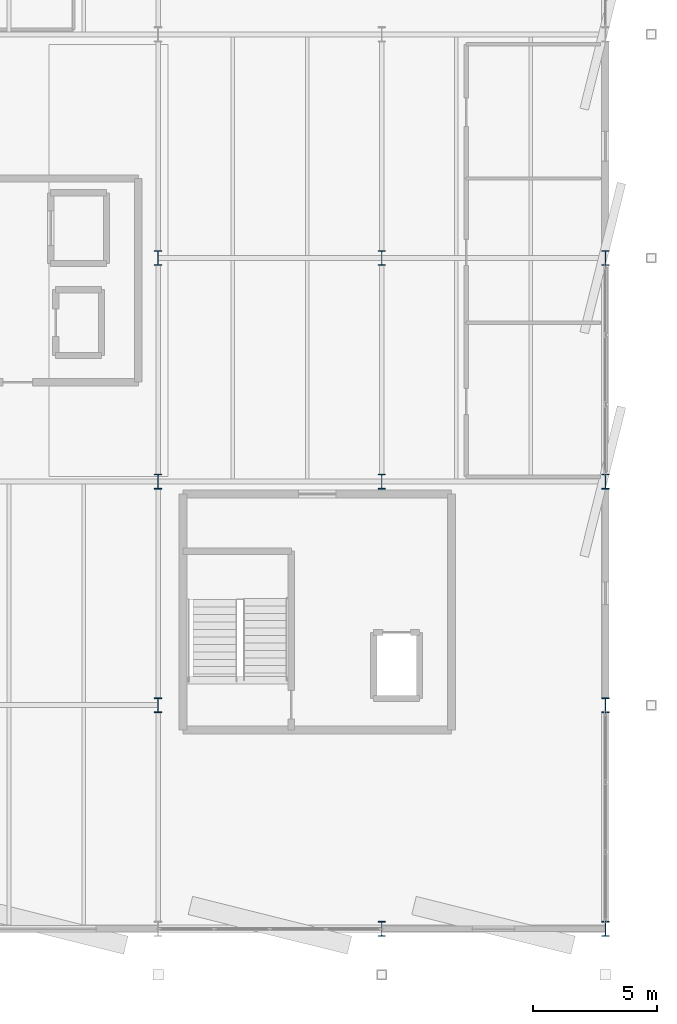
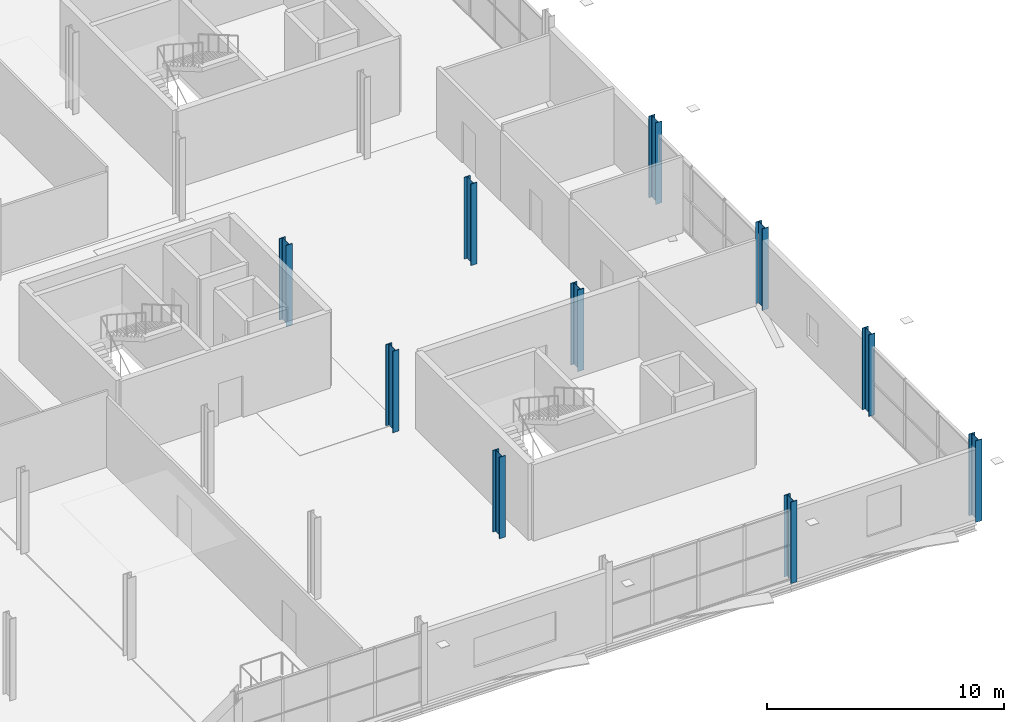
# One storey, part 14 of 132: 10 columns.
"""IFC4 building model written with IfcOpenShell, lengths in metres."""

import ifcopenshell
import ifcopenshell.guid

model = None  # the IFC model being written
_history = None  # IfcOwnerHistory: only IFC2X3 demands one
_inside = {}  # id of a spatial element -> (the spatial element, [elements in it])
_under = {}  # id of a project, library or spatial element -> (it, [spatial elements below it])
_declared = {}  # id of a project -> (the project, [libraries it declares])
_typed = {}  # id of a type object -> (the type object, [elements of that type])
_made_of = {}  # id of a material, layer set ... -> (it, [elements and type objects made of it])


def new_model(schema):
    """Start an empty IFC model of exactly this schema.

    Asked for "IFC4X3", IfcOpenShell would pick the latest addendum, in which some entities
    have other attributes; the version numbers below select the first issue.
    IFC2X3 requires an IfcOwnerHistory on every rooted entity: one is made here for all.
    """
    global model, _history
    if schema == "IFC4X3":
        model = ifcopenshell.file(schema_version=(4, 3, 0, 0))
    else:
        model = ifcopenshell.file(schema=schema)
    _inside.clear()
    _under.clear()
    _declared.clear()
    _typed.clear()
    _made_of.clear()
    _history = None
    if model.schema == "IFC2X3":
        org = make("IfcOrganization", Name="unknown")
        user = make(
            "IfcPersonAndOrganization",
            ThePerson=make("IfcPerson", FamilyName="unknown"),
            TheOrganization=org,
        )
        app = make(
            "IfcApplication",
            ApplicationDeveloper=org,
            Version="unknown",
            ApplicationFullName="unknown",
            ApplicationIdentifier="unknown",
        )
        _history = make(
            "IfcOwnerHistory",
            OwningUser=user,
            OwningApplication=app,
            ChangeAction="ADDED",
            CreationDate=0,
        )
    return model


def make(cls, **values):
    """One entity of the class cls with the attributes given. An attribute that is None is left unset."""
    return model.create_entity(
        cls, **{name: value for name, value in values.items() if value is not None}
    )


def rooted(cls, **values):
    """An entity with a GlobalId (a new one), such as an element, a storey or a relation."""
    return make(cls, GlobalId=ifcopenshell.guid.new(), OwnerHistory=_history, **values)


def si_unit(unit_type, name, prefix=None):
    """IfcSIUnit, for example si_unit("LENGTHUNIT", "METRE", prefix="MILLI")."""
    return make("IfcSIUnit", UnitType=unit_type, Prefix=prefix, Name=name)


def assignment(units):
    """IfcUnitAssignment: the units of a project."""
    return None if units is None else make("IfcUnitAssignment", Units=units)


def point(xyz):
    """IfcCartesianPoint."""
    return None if xyz is None else make("IfcCartesianPoint", Coordinates=xyz)


def direction(xyz):
    """IfcDirection."""
    return None if xyz is None else make("IfcDirection", DirectionRatios=xyz)


def frame(location, z_axis=None, x_axis=None):
    """IfcAxis2Placement3D, a coordinate frame: its origin and axes. An axis left out is left unset."""
    return make(
        "IfcAxis2Placement3D",
        Location=point(location),
        Axis=direction(z_axis),
        RefDirection=direction(x_axis),
    )


def frame_2d(location, x_axis=None):
    """IfcAxis2Placement2D, a coordinate frame in the plane: its origin and x axis."""
    return make(
        "IfcAxis2Placement2D", Location=point(location), RefDirection=direction(x_axis)
    )


def origin():
    """The frame at (0, 0, 0) with its axes left unset."""
    return frame((0.0, 0.0, 0.0))


def origin_2d():
    """The frame at (0, 0) in the plane with its x axis left unset."""
    return frame_2d((0.0, 0.0))


def place(relative_to, where):
    """IfcLocalPlacement: puts the frame where relative to a parent placement (None: the world)."""
    return make(
        "IfcLocalPlacement", PlacementRelTo=relative_to, RelativePlacement=where
    )


def context(
    kind, dimensions, precision=None, world=None, true_north=None, identifier=None
):
    """IfcGeometricRepresentationContext, for example the 3D "Model" context."""
    return make(
        "IfcGeometricRepresentationContext",
        ContextIdentifier=identifier,
        ContextType=kind,
        CoordinateSpaceDimension=dimensions,
        Precision=precision,
        WorldCoordinateSystem=world,
        TrueNorth=true_north,
    )


def subcontext(parent, identifier, kind, view, scale=None):
    """IfcGeometricRepresentationSubContext, for example "Body" below "Model"."""
    return make(
        "IfcGeometricRepresentationSubContext",
        ContextIdentifier=identifier,
        ContextType=kind,
        ParentContext=parent,
        TargetScale=scale,
        TargetView=view,
    )


def project(units=None, contexts=None):
    """IfcProject with its units and contexts."""
    return rooted(
        "IfcProject",
        Name="project",
        RepresentationContexts=contexts,
        UnitsInContext=assignment(units),
    )


def spatial(cls, under=None, at=None, **own):
    """A site, building, storey or space (cls), placed at a placement, below another one or the project."""
    s = rooted(cls, ObjectPlacement=at, **own)
    if under is not None:
        _under.setdefault(under.id(), (under, []))[1].append(s)
    return s


def profile(cls, at=None, kind="AREA", **sizes):
    """A parametric profile (cls). Its sizes go by their IFC names, for example OverallWidth=200.0."""
    return make(cls, ProfileType=kind, Position=at, **sizes)


def i_section(**sizes):
    """IfcIShapeProfileDef."""
    return profile("IfcIShapeProfileDef", **sizes)


def extrude(swept, where, along, depth):
    """IfcExtrudedAreaSolid: the profile swept, set in the frame where, extruded along a direction by depth."""
    return make(
        "IfcExtrudedAreaSolid",
        SweptArea=swept,
        Position=where,
        ExtrudedDirection=direction(along),
        Depth=depth,
    )


def shape(context_of_items, identifier, shape_type, items):
    """IfcShapeRepresentation: the items that make up one representation, for example the "Body"."""
    return make(
        "IfcShapeRepresentation",
        ContextOfItems=context_of_items,
        RepresentationIdentifier=identifier,
        RepresentationType=shape_type,
        Items=items,
    )


def material(Name=None, Category=None):
    """IfcMaterial."""
    return make("IfcMaterial", Name=Name, Category=Category)


def material_profile(
    of_material, cross_section, Name=None, Category=None, Priority=None
):
    """IfcMaterialProfile: a cross section and its material."""
    return make(
        "IfcMaterialProfile",
        Name=Name,
        Material=of_material,
        Profile=cross_section,
        Priority=Priority,
        Category=Category,
    )


def profile_set(profiles, Name=None, composite=None):
    """IfcMaterialProfileSet."""
    return make(
        "IfcMaterialProfileSet",
        Name=Name,
        MaterialProfiles=profiles,
        CompositeProfile=composite,
    )


def made_of(thing, what):
    """Note that an element or type object is made of a material, layer set ...; save() writes the relation."""
    if what is not None:
        _made_of.setdefault(what.id(), (what, []))[1].append(thing)
    return thing


def type_object(cls, material=None, **own):
    """A type object (cls), such as IfcWallType, which elements share."""
    return made_of(rooted(cls, **own), material)


def element(
    cls,
    number,
    at=None,
    inside=None,
    cuts=None,
    type_object=None,
    material=None,
    context=None,
    identifier="Body",
    shape_type=None,
    held_by="IfcProductDefinitionShape",
    body=None,
    shapes=None,
    **own,
):
    """One element of the class cls, such as IfcWall. Its Tag is "e" and its number.

    at: its placement. inside: the storey or other place that contains it. cuts: it is an
    opening in that element (IfcRelVoidsElement). A single representation is given by context,
    identifier, shape_type and body (its items); several are given by shapes. held_by: the class
    of the entity that holds the representations. save() writes the other relations.
    """
    e = rooted(cls, Tag="e%d" % number, ObjectPlacement=at, **own)
    if body is not None:
        shapes = [shape(context, identifier, shape_type, body)]
    if shapes is not None:
        e.Representation = make(held_by, Representations=shapes)
    if inside is not None:
        _inside.setdefault(inside.id(), (inside, []))[1].append(e)
    if cuts is not None:
        rooted(
            "IfcRelVoidsElement", RelatingBuildingElement=cuts, RelatedOpeningElement=e
        )
    if type_object is not None:
        _typed.setdefault(type_object.id(), (type_object, []))[1].append(e)
    return made_of(e, material)


def aggregate(whole, parts):
    """IfcRelAggregates: a whole, such as a stair, and the parts it consists of."""
    return rooted("IfcRelAggregates", RelatingObject=whole, RelatedObjects=parts)


def save(model, path):
    """Write the relations noted so far, then the file.

    IfcRelAggregates (storeys below a building ...), IfcRelContainedInSpatialStructure (elements
    in a storey), IfcRelDefinesByType, IfcRelAssociatesMaterial and IfcRelDeclares: one each for
    every whole, place, type object, material and project.
    """
    for whole, parts in _under.values():
        aggregate(whole, parts)
    for where, things in _inside.values():
        rooted(
            "IfcRelContainedInSpatialStructure",
            RelatedElements=things,
            RelatingStructure=where,
        )
    for kind, things in _typed.values():
        rooted("IfcRelDefinesByType", RelatedObjects=things, RelatingType=kind)
    for what, things in _made_of.values():
        rooted("IfcRelAssociatesMaterial", RelatedObjects=things, RelatingMaterial=what)
    for by, libraries in _declared.values():
        rooted("IfcRelDeclares", RelatingContext=by, RelatedDefinitions=libraries)
    model.write(path)


model = new_model("IFC4")

# Units and contexts
model_context = context("Model", 3, precision=1e-05, world=origin(), true_north=direction((0.0, 1.0)))
body_context = subcontext(model_context, "Body", "Model", "MODEL_VIEW")
ifc_project = project(units=[si_unit("LENGTHUNIT", "METRE"), si_unit("AREAUNIT", "SQUARE_METRE"), si_unit("VOLUMEUNIT", "CUBIC_METRE"), si_unit("PLANEANGLEUNIT", "RADIAN"), si_unit("MASSUNIT", "GRAM", prefix="KILO")], contexts=[model_context])

# Site, building, storey
site_placement = place(None, origin())
site = spatial("IfcSite", under=ifc_project, at=site_placement, CompositionType="ELEMENT")
building_placement = place(site_placement, origin())
building = spatial("IfcBuilding", under=site, at=building_placement, Name="Deido Ridge Mobility Hub", CompositionType="ELEMENT")
storey_placement = place(building_placement, frame((0.0, 0.0, 8.39990234375)))
storey = spatial("IfcBuildingStorey", under=building, at=storey_placement, Name="L02", CompositionType="ELEMENT", Elevation=8.39990234375)

# Columns
ifc_material = material(Name="Steel S355J2 EN 10025-2", Category="steel")
ifc_material_profile = material_profile(ifc_material, i_section(OverallWidth=0.300048828125, OverallDepth=0.60009765625, WebThickness=0.015380859375, FlangeThickness=0.030029296875, FilletRadius=0.027099609375, at=origin_2d()), Name="HEB 600")
ifc_profile_set = profile_set([ifc_material_profile], Name="Steel S355J2 EN 10025-2")
column_type = type_object("IfcColumnType", Name="COL-HEB600", PredefinedType="COLUMN", material=ifc_profile_set)
for number, where, z_axis, x_axis, name in (
    (1, (171.0, 0.0, 0.0), (0.0, 0.0, 1.0), (1.0, 0.0, 0.0), "Structural column C4"),
    (2, (180.0, 0.0, 0.0), (0.0, 0.0, 1.0), (1.0, 0.0, 0.0), "Structural column C4"),
    (3, (162.0, 9.0, 0.0), (0.0, 0.0, 1.0), (1.0, 0.0, 0.0), "Structural column C4"),
    (4, (180.0, 9.0, 0.0), (0.0, 0.0, 1.0), (1.0, 0.0, 0.0), "Structural column C4"),
    (5, (162.0, 18.0, 0.0), (0.0, 0.0, 1.0), (1.0, 0.0, 0.0), "Structural column C4"),
    (6, (171.0, 18.0, 0.0), (0.0, 0.0, 1.0), (1.0, 0.0, 0.0), "Structural column C4"),
    (7, (180.0, 18.0, 0.0), (0.0, 0.0, 1.0), (1.0, 0.0, 0.0), "Structural column C4"),
    (8, (162.0, 27.0, 0.0), (0.0, 0.0, 1.0), (1.0, 0.0, 0.0), "Structural column C4"),
    (9, (171.0, 27.0, 0.0), (0.0, 0.0, 1.0), (1.0, 0.0, 0.0), "Structural column C4"),
    (10, (180.0, 27.0, 0.0), (0.0, 0.0, 1.0), (1.0, 0.0, 0.0), "Structural column C4"),
):
    element("IfcColumn", number, at=place(storey_placement, frame(where, z_axis=z_axis, x_axis=x_axis)), inside=storey, type_object=column_type, Name=name, PredefinedType="COLUMN", context=body_context, shape_type="SweptSolid", body=[
        extrude(i_section(OverallWidth=0.300048828125, OverallDepth=0.60009765625, WebThickness=0.015380859375, FlangeThickness=0.030029296875, FilletRadius=0.027099609375, at=origin_2d()), origin(), (0.0, 0.0, 1.0), 4.2001953125),
    ])

save(model, "model.ifc")
